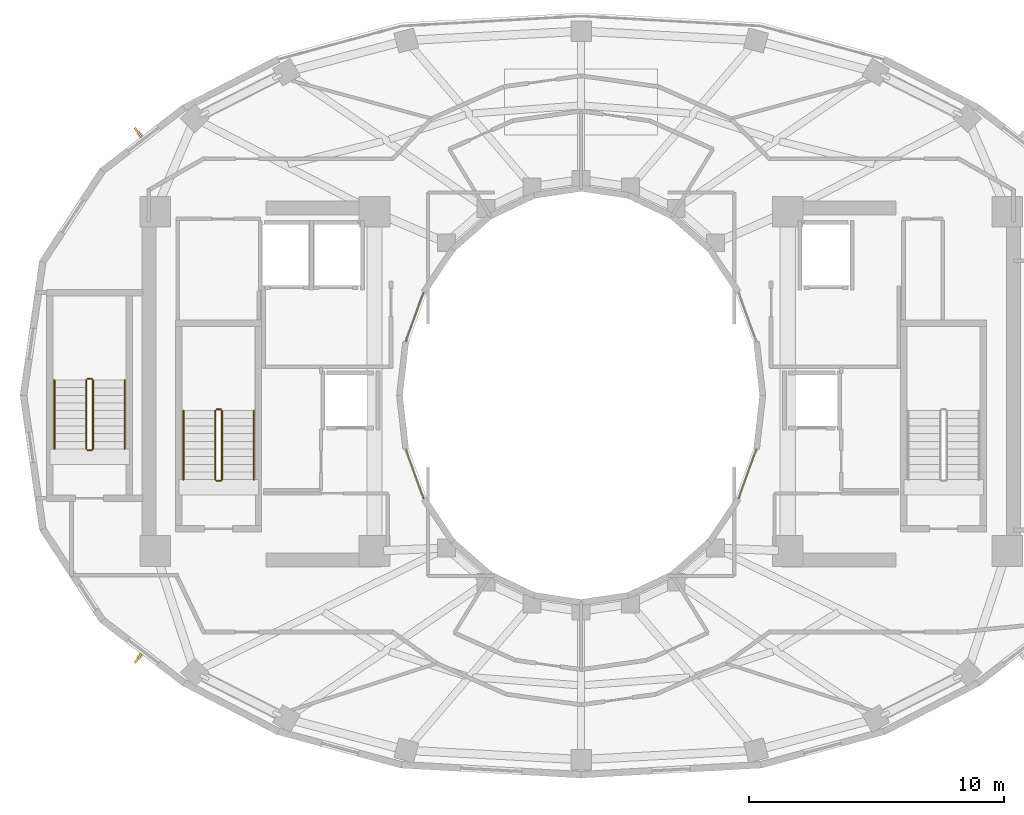
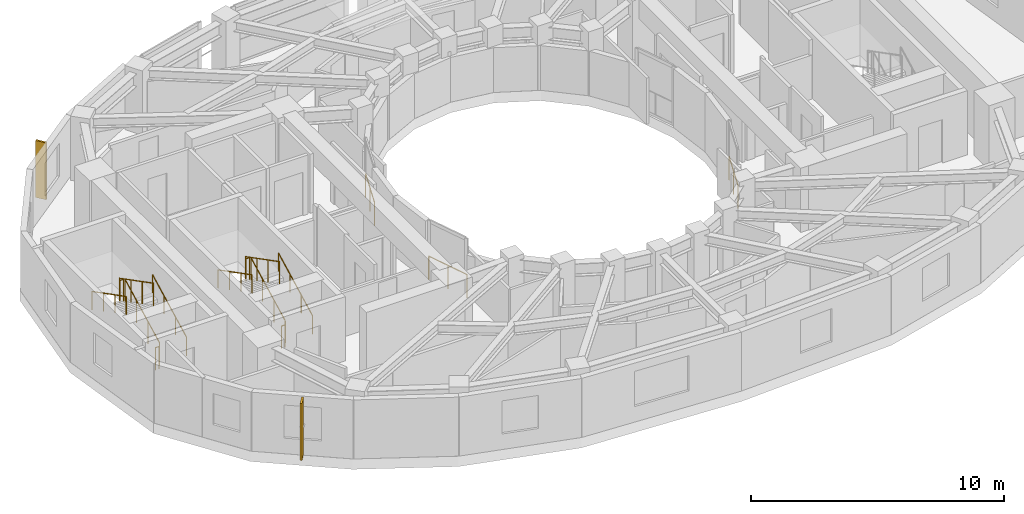
# One storey, part 17 of 19: 15 railings, 2 shading devices.
"""IFC4 building model written with IfcOpenShell, lengths in metres."""

import ifcopenshell
import ifcopenshell.guid

model = None  # the IFC model being written
_history = None  # IfcOwnerHistory: only IFC2X3 demands one
_inside = {}  # id of a spatial element -> (the spatial element, [elements in it])
_under = {}  # id of a project, library or spatial element -> (it, [spatial elements below it])
_declared = {}  # id of a project -> (the project, [libraries it declares])
_typed = {}  # id of a type object -> (the type object, [elements of that type])
_made_of = {}  # id of a material, layer set ... -> (it, [elements and type objects made of it])


def new_model(schema):
    """Start an empty IFC model of exactly this schema.

    Asked for "IFC4X3", IfcOpenShell would pick the latest addendum, in which some entities
    have other attributes; the version numbers below select the first issue.
    IFC2X3 requires an IfcOwnerHistory on every rooted entity: one is made here for all.
    """
    global model, _history
    if schema == "IFC4X3":
        model = ifcopenshell.file(schema_version=(4, 3, 0, 0))
    else:
        model = ifcopenshell.file(schema=schema)
    _inside.clear()
    _under.clear()
    _declared.clear()
    _typed.clear()
    _made_of.clear()
    _history = None
    if model.schema == "IFC2X3":
        org = make("IfcOrganization", Name="unknown")
        user = make(
            "IfcPersonAndOrganization",
            ThePerson=make("IfcPerson", FamilyName="unknown"),
            TheOrganization=org,
        )
        app = make(
            "IfcApplication",
            ApplicationDeveloper=org,
            Version="unknown",
            ApplicationFullName="unknown",
            ApplicationIdentifier="unknown",
        )
        _history = make(
            "IfcOwnerHistory",
            OwningUser=user,
            OwningApplication=app,
            ChangeAction="ADDED",
            CreationDate=0,
        )
    return model


def make(cls, **values):
    """One entity of the class cls with the attributes given. An attribute that is None is left unset."""
    return model.create_entity(
        cls, **{name: value for name, value in values.items() if value is not None}
    )


def rooted(cls, **values):
    """An entity with a GlobalId (a new one), such as an element, a storey or a relation."""
    return make(cls, GlobalId=ifcopenshell.guid.new(), OwnerHistory=_history, **values)


def si_unit(unit_type, name, prefix=None):
    """IfcSIUnit, for example si_unit("LENGTHUNIT", "METRE", prefix="MILLI")."""
    return make("IfcSIUnit", UnitType=unit_type, Prefix=prefix, Name=name)


def assignment(units):
    """IfcUnitAssignment: the units of a project."""
    return None if units is None else make("IfcUnitAssignment", Units=units)


def point(xyz):
    """IfcCartesianPoint."""
    return None if xyz is None else make("IfcCartesianPoint", Coordinates=xyz)


def direction(xyz):
    """IfcDirection."""
    return None if xyz is None else make("IfcDirection", DirectionRatios=xyz)


def frame(location, z_axis=None, x_axis=None):
    """IfcAxis2Placement3D, a coordinate frame: its origin and axes. An axis left out is left unset."""
    return make(
        "IfcAxis2Placement3D",
        Location=point(location),
        Axis=direction(z_axis),
        RefDirection=direction(x_axis),
    )


def frame_2d(location, x_axis=None):
    """IfcAxis2Placement2D, a coordinate frame in the plane: its origin and x axis."""
    return make(
        "IfcAxis2Placement2D", Location=point(location), RefDirection=direction(x_axis)
    )


def origin():
    """The frame at (0, 0, 0) with its axes left unset."""
    return frame((0.0, 0.0, 0.0))


def origin_2d():
    """The frame at (0, 0) in the plane with its x axis left unset."""
    return frame_2d((0.0, 0.0))


def place(relative_to, where):
    """IfcLocalPlacement: puts the frame where relative to a parent placement (None: the world)."""
    return make(
        "IfcLocalPlacement", PlacementRelTo=relative_to, RelativePlacement=where
    )


def context(
    kind, dimensions, precision=None, world=None, true_north=None, identifier=None
):
    """IfcGeometricRepresentationContext, for example the 3D "Model" context."""
    return make(
        "IfcGeometricRepresentationContext",
        ContextIdentifier=identifier,
        ContextType=kind,
        CoordinateSpaceDimension=dimensions,
        Precision=precision,
        WorldCoordinateSystem=world,
        TrueNorth=true_north,
    )


def subcontext(parent, identifier, kind, view, scale=None):
    """IfcGeometricRepresentationSubContext, for example "Body" below "Model"."""
    return make(
        "IfcGeometricRepresentationSubContext",
        ContextIdentifier=identifier,
        ContextType=kind,
        ParentContext=parent,
        TargetScale=scale,
        TargetView=view,
    )


def project(units=None, contexts=None):
    """IfcProject with its units and contexts."""
    return rooted(
        "IfcProject",
        Name="project",
        RepresentationContexts=contexts,
        UnitsInContext=assignment(units),
    )


def spatial(cls, under=None, at=None, **own):
    """A site, building, storey or space (cls), placed at a placement, below another one or the project."""
    s = rooted(cls, ObjectPlacement=at, **own)
    if under is not None:
        _under.setdefault(under.id(), (under, []))[1].append(s)
    return s


def profile(cls, at=None, kind="AREA", **sizes):
    """A parametric profile (cls). Its sizes go by their IFC names, for example OverallWidth=200.0."""
    return make(cls, ProfileType=kind, Position=at, **sizes)


def rectangle(**sizes):
    """IfcRectangleProfileDef."""
    return profile("IfcRectangleProfileDef", **sizes)


def circle(**sizes):
    """IfcCircleProfileDef."""
    return profile("IfcCircleProfileDef", **sizes)


def extrude(swept, where, along, depth):
    """IfcExtrudedAreaSolid: the profile swept, set in the frame where, extruded along a direction by depth."""
    return make(
        "IfcExtrudedAreaSolid",
        SweptArea=swept,
        Position=where,
        ExtrudedDirection=direction(along),
        Depth=depth,
    )


def shape(context_of_items, identifier, shape_type, items):
    """IfcShapeRepresentation: the items that make up one representation, for example the "Body"."""
    return make(
        "IfcShapeRepresentation",
        ContextOfItems=context_of_items,
        RepresentationIdentifier=identifier,
        RepresentationType=shape_type,
        Items=items,
    )


def material(Name=None, Category=None):
    """IfcMaterial."""
    return make("IfcMaterial", Name=Name, Category=Category)


def layer(
    of_material, thickness, ventilated=None, Name=None, Category=None, Priority=None
):
    """IfcMaterialLayer: one layer of a wall or slab, of a material (None: an air gap)."""
    return make(
        "IfcMaterialLayer",
        Material=of_material,
        LayerThickness=thickness,
        IsVentilated=ventilated,
        Name=Name,
        Category=Category,
        Priority=Priority,
    )


def layer_set(layers, Name=None):
    """IfcMaterialLayerSet."""
    return make("IfcMaterialLayerSet", MaterialLayers=layers, LayerSetName=Name)


def made_of(thing, what):
    """Note that an element or type object is made of a material, layer set ...; save() writes the relation."""
    if what is not None:
        _made_of.setdefault(what.id(), (what, []))[1].append(thing)
    return thing


def type_object(cls, material=None, **own):
    """A type object (cls), such as IfcWallType, which elements share."""
    return made_of(rooted(cls, **own), material)


def element(
    cls,
    number,
    at=None,
    inside=None,
    cuts=None,
    type_object=None,
    material=None,
    context=None,
    identifier="Body",
    shape_type=None,
    held_by="IfcProductDefinitionShape",
    body=None,
    shapes=None,
    **own,
):
    """One element of the class cls, such as IfcWall. Its Tag is "e" and its number.

    at: its placement. inside: the storey or other place that contains it. cuts: it is an
    opening in that element (IfcRelVoidsElement). A single representation is given by context,
    identifier, shape_type and body (its items); several are given by shapes. held_by: the class
    of the entity that holds the representations. save() writes the other relations.
    """
    e = rooted(cls, Tag="e%d" % number, ObjectPlacement=at, **own)
    if body is not None:
        shapes = [shape(context, identifier, shape_type, body)]
    if shapes is not None:
        e.Representation = make(held_by, Representations=shapes)
    if inside is not None:
        _inside.setdefault(inside.id(), (inside, []))[1].append(e)
    if cuts is not None:
        rooted(
            "IfcRelVoidsElement", RelatingBuildingElement=cuts, RelatedOpeningElement=e
        )
    if type_object is not None:
        _typed.setdefault(type_object.id(), (type_object, []))[1].append(e)
    return made_of(e, material)


def aggregate(whole, parts):
    """IfcRelAggregates: a whole, such as a stair, and the parts it consists of."""
    return rooted("IfcRelAggregates", RelatingObject=whole, RelatedObjects=parts)


def save(model, path):
    """Write the relations noted so far, then the file.

    IfcRelAggregates (storeys below a building ...), IfcRelContainedInSpatialStructure (elements
    in a storey), IfcRelDefinesByType, IfcRelAssociatesMaterial and IfcRelDeclares: one each for
    every whole, place, type object, material and project.
    """
    for whole, parts in _under.values():
        aggregate(whole, parts)
    for where, things in _inside.values():
        rooted(
            "IfcRelContainedInSpatialStructure",
            RelatedElements=things,
            RelatingStructure=where,
        )
    for kind, things in _typed.values():
        rooted("IfcRelDefinesByType", RelatedObjects=things, RelatingType=kind)
    for what, things in _made_of.values():
        rooted("IfcRelAssociatesMaterial", RelatedObjects=things, RelatingMaterial=what)
    for by, libraries in _declared.values():
        rooted("IfcRelDeclares", RelatingContext=by, RelatedDefinitions=libraries)
    model.write(path)


model = new_model("IFC4")

# Units and contexts
model_context = context("Model", 3, precision=1e-05, world=origin(), true_north=direction((0.0, 1.0)))
body_context = subcontext(model_context, "Body", "Model", "MODEL_VIEW")
ifc_project = project(units=[si_unit("LENGTHUNIT", "METRE"), si_unit("AREAUNIT", "SQUARE_METRE"), si_unit("VOLUMEUNIT", "CUBIC_METRE"), si_unit("PLANEANGLEUNIT", "RADIAN"), si_unit("MASSUNIT", "GRAM", prefix="KILO")], contexts=[model_context])

# Site, building, storey
site_placement = place(None, origin())
site = spatial("IfcSite", under=ifc_project, at=site_placement, CompositionType="ELEMENT")
building_placement = place(site_placement, origin())
building = spatial("IfcBuilding", under=site, at=building_placement, Name="Solvane Sanctuary Tower", CompositionType="ELEMENT")
storey_placement = place(building_placement, frame((0.0, 0.0, 201.60009765625)))
storey = spatial("IfcBuildingStorey", under=building, at=storey_placement, Name="L61", CompositionType="ELEMENT", Elevation=201.60009765625)

# Railings
ifc_material_1 = material(Name="Architectural Stainless Steel 316", Category="steel")
railing_type_1 = type_object("IfcRailingType", Name="Railing GR-BALC-1150", PredefinedType="BALUSTRADE", material=ifc_material_1)
railing_1_placement = place(storey_placement, frame((17.919921875, 19.699951171875, 0.15478515625)))
element("IfcRailing", 1, at=railing_1_placement, inside=storey, type_object=railing_type_1, Name="L61 ST-1 stair guard 1", PredefinedType="BALUSTRADE", context=body_context, shape_type="SweptSolid", body=[
    extrude(circle(Radius=0.02392578125, at=origin_2d()), frame((0.0, 0.0, 1.076171875), z_axis=(0.0, 0.888419900624, 0.459031676658), x_axis=(-1.0, 0.0, 0.0)), (0.0, 0.0, 1.0), 3.0390625),
    extrude(circle(Radius=0.02099609375, at=origin_2d()), origin(), (0.0, 0.0, 1.0), 1.052001953125),
    extrude(circle(Radius=0.02099609375, at=origin_2d()), frame((0.0, 0.89990234375, 0.465087890625)), (0.0, 0.0, 1.0), 1.052001953125),
    extrude(circle(Radius=0.02099609375, at=origin_2d()), frame((0.0, 1.800048828125, 0.929931640625)), (0.0, 0.0, 1.0), 1.052001953125),
    extrude(circle(Radius=0.02099609375, at=origin_2d()), frame((0.0, 2.699951171875, 1.39501953125)), (0.0, 0.0, 1.0), 1.052001953125),
])
railing_2_placement = place(storey_placement, frame((17.8701171875, 22.449951171875, 1.5498046875)))
element("IfcRailing", 2, at=railing_2_placement, inside=storey, type_object=railing_type_1, Name="L61 ST-1 stair guard 2", PredefinedType="BALUSTRADE", context=body_context, shape_type="SweptSolid", body=[
    extrude(circle(Radius=0.02392578125, at=origin_2d()), frame((0.0, 0.0, 1.076171875), z_axis=(-1.0, 0.0, 0.0), x_axis=(0.0, -1.0, 0.0)), (0.0, 0.0, 1.0), 0.16015625),
    extrude(circle(Radius=0.02099609375, at=origin_2d()), origin(), (0.0, 0.0, 1.0), 1.052001953125),
    extrude(circle(Radius=0.02099609375, at=origin_2d()), frame((-0.16015625, 0.0, 0.0)), (0.0, 0.0, 1.0), 1.052001953125),
])
railing_3_placement = place(storey_placement, frame((17.659912109375, 22.39990234375, 1.704833984375)))
element("IfcRailing", 3, at=railing_3_placement, inside=storey, type_object=railing_type_1, Name="L61 ST-1 stair guard 3", PredefinedType="BALUSTRADE", context=body_context, shape_type="SweptSolid", body=[
    extrude(circle(Radius=0.02392578125, at=origin_2d()), frame((0.0, 0.0, 1.076171875), z_axis=(0.0, -0.888419900624, 0.459031676658), x_axis=(1.0, 0.0, 0.0)), (0.0, 0.0, 1.0), 3.0390625),
    extrude(circle(Radius=0.02099609375, at=origin_2d()), origin(), (0.0, 0.0, 1.0), 1.052001953125),
    extrude(circle(Radius=0.02099609375, at=origin_2d()), frame((0.0, -0.89990234375, 0.465087890625)), (0.0, 0.0, 1.0), 1.052001953125),
    extrude(circle(Radius=0.02099609375, at=origin_2d()), frame((0.0, -1.800048828125, 0.929931640625)), (0.0, 0.0, 1.0), 1.052001953125),
    extrude(circle(Radius=0.02099609375, at=origin_2d()), frame((0.0, -2.699951171875, 1.39501953125)), (0.0, 0.0, 1.0), 1.052001953125),
])
railing_4_placement = place(storey_placement, frame((17.8701171875, 19.64990234375, 0.0)))
element("IfcRailing", 4, at=railing_4_placement, inside=storey, type_object=railing_type_1, Name="L61 ST-1 stair guard 4", PredefinedType="BALUSTRADE", context=body_context, shape_type="SweptSolid", body=[
    extrude(circle(Radius=0.02392578125, at=origin_2d()), frame((0.0, 0.0, 1.076171875), z_axis=(-1.0, 0.0, 0.0), x_axis=(0.0, -1.0, 0.0)), (0.0, 0.0, 1.0), 0.16015625),
    extrude(circle(Radius=0.02099609375, at=origin_2d()), origin(), (0.0, 0.0, 1.0), 1.052001953125),
    extrude(circle(Radius=0.02099609375, at=origin_2d()), frame((-0.16015625, 0.0, 0.0)), (0.0, 0.0, 1.0), 1.052001953125),
])
railing_5_placement = place(storey_placement, frame((12.860107421875, 20.89990234375, 0.15478515625)))
element("IfcRailing", 5, at=railing_5_placement, inside=storey, type_object=railing_type_1, Name="L61 ST-3 stair guard 1", PredefinedType="BALUSTRADE", context=body_context, shape_type="SweptSolid", body=[
    extrude(circle(Radius=0.02392578125, at=origin_2d()), frame((0.0, 0.0, 1.076171875), z_axis=(0.0, 0.888436826113, 0.458998917216), x_axis=(-1.0, 0.0, 0.0)), (0.0, 0.0, 1.0), 3.039306640625),
    extrude(circle(Radius=0.02099609375, at=origin_2d()), origin(), (0.0, 0.0, 1.0), 1.052001953125),
    extrude(circle(Radius=0.02099609375, at=origin_2d()), frame((0.0, 0.900146484375, 0.465087890625)), (0.0, 0.0, 1.0), 1.052001953125),
    extrude(circle(Radius=0.02099609375, at=origin_2d()), frame((0.0, 1.800048828125, 0.929931640625)), (0.0, 0.0, 1.0), 1.052001953125),
    extrude(circle(Radius=0.02099609375, at=origin_2d()), frame((0.0, 2.7001953125, 1.39501953125)), (0.0, 0.0, 1.0), 1.052001953125),
])
railing_6_placement = place(storey_placement, frame((12.81005859375, 23.64990234375, 1.5498046875)))
element("IfcRailing", 6, at=railing_6_placement, inside=storey, type_object=railing_type_1, Name="L61 ST-3 stair guard 2", PredefinedType="BALUSTRADE", context=body_context, shape_type="SweptSolid", body=[
    extrude(circle(Radius=0.02392578125, at=origin_2d()), frame((0.0, 0.0, 1.076171875), z_axis=(-1.0, 0.0, 0.0), x_axis=(0.0, -1.0, 0.0)), (0.0, 0.0, 1.0), 0.16015625),
    extrude(circle(Radius=0.02099609375, at=origin_2d()), origin(), (0.0, 0.0, 1.0), 1.052001953125),
    extrude(circle(Radius=0.02099609375, at=origin_2d()), frame((-0.16015625, 0.0, 0.0)), (0.0, 0.0, 1.0), 1.052001953125),
])
railing_7_placement = place(storey_placement, frame((12.60009765625, 23.60009765625, 1.704833984375)))
element("IfcRailing", 7, at=railing_7_placement, inside=storey, type_object=railing_type_1, Name="L61 ST-3 stair guard 3", PredefinedType="BALUSTRADE", context=body_context, shape_type="SweptSolid", body=[
    extrude(circle(Radius=0.02392578125, at=origin_2d()), frame((0.0, 0.0, 1.076171875), z_axis=(0.0, -0.888436826113, 0.458998917216), x_axis=(1.0, 0.0, 0.0)), (0.0, 0.0, 1.0), 3.039306640625),
    extrude(circle(Radius=0.02099609375, at=origin_2d()), origin(), (0.0, 0.0, 1.0), 1.052001953125),
    extrude(circle(Radius=0.02099609375, at=origin_2d()), frame((0.0, -0.900146484375, 0.465087890625)), (0.0, 0.0, 1.0), 1.052001953125),
    extrude(circle(Radius=0.02099609375, at=origin_2d()), frame((0.0, -1.800048828125, 0.929931640625)), (0.0, 0.0, 1.0), 1.052001953125),
    extrude(circle(Radius=0.02099609375, at=origin_2d()), frame((0.0, -2.7001953125, 1.39501953125)), (0.0, 0.0, 1.0), 1.052001953125),
])
railing_8_placement = place(storey_placement, frame((12.81005859375, 20.85009765625, 0.0)))
element("IfcRailing", 8, at=railing_8_placement, inside=storey, type_object=railing_type_1, Name="L61 ST-3 stair guard 4", PredefinedType="BALUSTRADE", context=body_context, shape_type="SweptSolid", body=[
    extrude(circle(Radius=0.02392578125, at=origin_2d()), frame((0.0, 0.0, 1.076171875), z_axis=(-1.0, 0.0, 0.0), x_axis=(0.0, -1.0, 0.0)), (0.0, 0.0, 1.0), 0.16015625),
    extrude(circle(Radius=0.02099609375, at=origin_2d()), origin(), (0.0, 0.0, 1.0), 1.052001953125),
    extrude(circle(Radius=0.02099609375, at=origin_2d()), frame((-0.16015625, 0.0, 0.0)), (0.0, 0.0, 1.0), 1.052001953125),
])
railing_type_2 = type_object("IfcRailingType", Name="Railing GR-WELL-1150", PredefinedType="GUARDRAIL", material=ifc_material_1)
railing_9_placement = place(storey_placement, frame((25.81689453125, 27.012939453125, 0.0)))
element("IfcRailing", 9, at=railing_9_placement, inside=storey, type_object=railing_type_2, Name="L61 Light-Well Glazing Sill Guard 10", PredefinedType="GUARDRAIL", context=body_context, shape_type="SweptSolid", body=[
    extrude(circle(Radius=0.02392578125, at=origin_2d()), frame((0.0, 0.0, 1.1259765625), z_axis=(-0.341446556351, -0.939901191166, 0.0), x_axis=(0.939901191166, -0.341446556351, 0.0)), (0.0, 0.0, 1.0), 1.9833984375),
    extrude(circle(Radius=0.02099609375, at=origin_2d()), origin(), (0.0, 0.0, 1.0), 1.101806640625),
    extrude(circle(Radius=0.02099609375, at=origin_2d()), frame((-0.338623046875, -0.93212890625, 0.0)), (0.0, 0.0, 1.0), 1.101806640625),
    extrude(circle(Radius=0.02099609375, at=origin_2d()), frame((-0.67724609375, -1.8642578125, 0.0)), (0.0, 0.0, 1.0), 1.101806640625),
])
railing_10_placement = place(storey_placement, frame((25.1396484375, 20.851318359375, 0.0)))
element("IfcRailing", 10, at=railing_10_placement, inside=storey, type_object=railing_type_2, Name="L61 Light-Well Glazing Sill Guard 13", PredefinedType="GUARDRAIL", context=body_context, shape_type="SweptSolid", body=[
    extrude(circle(Radius=0.02392578125, at=origin_2d()), frame((0.0, 0.0, 1.1259765625), z_axis=(0.341446556351, -0.939901191166, 0.0), x_axis=(0.939901191166, 0.341446556351, 0.0)), (0.0, 0.0, 1.0), 1.9833984375),
    extrude(circle(Radius=0.02099609375, at=origin_2d()), origin(), (0.0, 0.0, 1.0), 1.101806640625),
    extrude(circle(Radius=0.02099609375, at=origin_2d()), frame((0.338623046875, -0.93212890625, 0.0)), (0.0, 0.0, 1.0), 1.101806640625),
    extrude(circle(Radius=0.02099609375, at=origin_2d()), frame((0.67724609375, -1.8642578125, 0.0)), (0.0, 0.0, 1.0), 1.101806640625),
])
railing_11_placement = place(storey_placement, frame((38.18310546875, 18.987060546875, 0.0)))
element("IfcRailing", 11, at=railing_11_placement, inside=storey, type_object=railing_type_2, Name="L61 Light-Well Glazing Sill Guard 22", PredefinedType="GUARDRAIL", context=body_context, shape_type="SweptSolid", body=[
    extrude(circle(Radius=0.02392578125, at=origin_2d()), frame((0.0, 0.0, 1.1259765625), z_axis=(0.341446556351, 0.939901191166, 0.0), x_axis=(-0.939901191166, 0.341446556351, 0.0)), (0.0, 0.0, 1.0), 1.9833984375),
    extrude(circle(Radius=0.02099609375, at=origin_2d()), origin(), (0.0, 0.0, 1.0), 1.101806640625),
    extrude(circle(Radius=0.02099609375, at=origin_2d()), frame((0.338623046875, 0.93212890625, 0.0)), (0.0, 0.0, 1.0), 1.101806640625),
    extrude(circle(Radius=0.02099609375, at=origin_2d()), frame((0.67724609375, 1.8642578125, 0.0)), (0.0, 0.0, 1.0), 1.101806640625),
])
railing_type_3 = type_object("IfcRailingType", Name="Railing HR-STAIR-920", PredefinedType="HANDRAIL", material=ifc_material_1)
railing_12_placement = place(storey_placement, frame((19.169921875, 19.699951171875, 0.15478515625)))
element("IfcRailing", 12, at=railing_12_placement, inside=storey, type_object=railing_type_3, Name="L61 ST-1 stair handrail 1", PredefinedType="HANDRAIL", context=body_context, shape_type="SweptSolid", body=[
    extrude(circle(Radius=0.02392578125, at=origin_2d()), frame((0.0, 0.0, 0.8759765625), z_axis=(0.0, 0.888419900624, 0.459031676658), x_axis=(-1.0, 0.0, 0.0)), (0.0, 0.0, 1.0), 3.0390625),
    extrude(circle(Radius=0.02099609375, at=origin_2d()), origin(), (0.0, 0.0, 1.0), 0.851806640625),
    extrude(circle(Radius=0.02099609375, at=origin_2d()), frame((0.0, 0.89990234375, 0.465087890625)), (0.0, 0.0, 1.0), 0.851806640625),
    extrude(circle(Radius=0.02099609375, at=origin_2d()), frame((0.0, 1.800048828125, 0.929931640625)), (0.0, 0.0, 1.0), 0.851806640625),
    extrude(circle(Radius=0.02099609375, at=origin_2d()), frame((0.0, 2.699951171875, 1.39501953125)), (0.0, 0.0, 1.0), 0.851806640625),
])
railing_13_placement = place(storey_placement, frame((16.409912109375, 22.39990234375, 1.704833984375)))
element("IfcRailing", 13, at=railing_13_placement, inside=storey, type_object=railing_type_3, Name="L61 ST-1 stair handrail 2", PredefinedType="HANDRAIL", context=body_context, shape_type="SweptSolid", body=[
    extrude(circle(Radius=0.02392578125, at=origin_2d()), frame((0.0, 0.0, 0.8759765625), z_axis=(0.0, -0.888419900624, 0.459031676658), x_axis=(1.0, 0.0, 0.0)), (0.0, 0.0, 1.0), 3.0390625),
    extrude(circle(Radius=0.02099609375, at=origin_2d()), origin(), (0.0, 0.0, 1.0), 0.851806640625),
    extrude(circle(Radius=0.02099609375, at=origin_2d()), frame((0.0, -0.89990234375, 0.465087890625)), (0.0, 0.0, 1.0), 0.851806640625),
    extrude(circle(Radius=0.02099609375, at=origin_2d()), frame((0.0, -1.800048828125, 0.929931640625)), (0.0, 0.0, 1.0), 0.851806640625),
    extrude(circle(Radius=0.02099609375, at=origin_2d()), frame((0.0, -2.699951171875, 1.39501953125)), (0.0, 0.0, 1.0), 0.851806640625),
])
railing_14_placement = place(storey_placement, frame((14.110107421875, 20.89990234375, 0.15478515625)))
element("IfcRailing", 14, at=railing_14_placement, inside=storey, type_object=railing_type_3, Name="L61 ST-3 stair handrail 1", PredefinedType="HANDRAIL", context=body_context, shape_type="SweptSolid", body=[
    extrude(circle(Radius=0.02392578125, at=origin_2d()), frame((0.0, 0.0, 0.8759765625), z_axis=(0.0, 0.888436826113, 0.458998917216), x_axis=(-1.0, 0.0, 0.0)), (0.0, 0.0, 1.0), 3.039306640625),
    extrude(circle(Radius=0.02099609375, at=origin_2d()), origin(), (0.0, 0.0, 1.0), 0.851806640625),
    extrude(circle(Radius=0.02099609375, at=origin_2d()), frame((0.0, 0.900146484375, 0.465087890625)), (0.0, 0.0, 1.0), 0.851806640625),
    extrude(circle(Radius=0.02099609375, at=origin_2d()), frame((0.0, 1.800048828125, 0.929931640625)), (0.0, 0.0, 1.0), 0.851806640625),
    extrude(circle(Radius=0.02099609375, at=origin_2d()), frame((0.0, 2.7001953125, 1.39501953125)), (0.0, 0.0, 1.0), 0.851806640625),
])
railing_15_placement = place(storey_placement, frame((11.35009765625, 23.60009765625, 1.704833984375)))
element("IfcRailing", 15, at=railing_15_placement, inside=storey, type_object=railing_type_3, Name="L61 ST-3 stair handrail 2", PredefinedType="HANDRAIL", context=body_context, shape_type="SweptSolid", body=[
    extrude(circle(Radius=0.02392578125, at=origin_2d()), frame((0.0, 0.0, 0.8759765625), z_axis=(0.0, -0.888436826113, 0.458998917216), x_axis=(1.0, 0.0, 0.0)), (0.0, 0.0, 1.0), 3.039306640625),
    extrude(circle(Radius=0.02099609375, at=origin_2d()), origin(), (0.0, 0.0, 1.0), 0.851806640625),
    extrude(circle(Radius=0.02099609375, at=origin_2d()), frame((0.0, -0.900146484375, 0.465087890625)), (0.0, 0.0, 1.0), 0.851806640625),
    extrude(circle(Radius=0.02099609375, at=origin_2d()), frame((0.0, -1.800048828125, 0.929931640625)), (0.0, 0.0, 1.0), 0.851806640625),
    extrude(circle(Radius=0.02099609375, at=origin_2d()), frame((0.0, -2.7001953125, 1.39501953125)), (0.0, 0.0, 1.0), 0.851806640625),
])

# Shading devices
ifc_material_2 = material(Name="Anodised Aluminium 6063-T6", Category="aluminium")
ifc_layer = layer(ifc_material_2, 0.080078125, Name="Anodised Aluminium 6063-T6")
ifc_layer_set = layer_set([ifc_layer], Name="Anodised Aluminium 6063-T6")
shading_device_type = type_object("IfcShadingDeviceType", Name="Shading SHD-FIN", PredefinedType="USERDEFINED", material=ifc_layer_set)
for number, where, z_axis, x_axis, name in (
    (16, (14.63330078125, 33.310302734375, 0.0498046875), (0.0, 0.0, 1.0), (-0.792707964296, -0.609601577542, 0.0), "L61 Aerodynamic Vertical Fin 09"),
    (17, (14.63330078125, 12.689697265625, 0.0498046875), (0.0, 0.0, 1.0), (0.792707964296, -0.609601577542, 0.0), "L61 Aerodynamic Vertical Fin 14"),
):
    element("IfcShadingDevice", number, at=place(storey_placement, frame(where, z_axis=z_axis, x_axis=x_axis)), inside=storey, type_object=shading_device_type, Name=name, ObjectType="FIN", PredefinedType="USERDEFINED", context=body_context, shape_type="SweptSolid", body=[
        extrude(rectangle(XDim=0.080078125, YDim=0.449951171875, at=origin_2d()), origin(), (0.0, 0.0, 1.0), 2.75),
    ])

save(model, "model.ifc")
